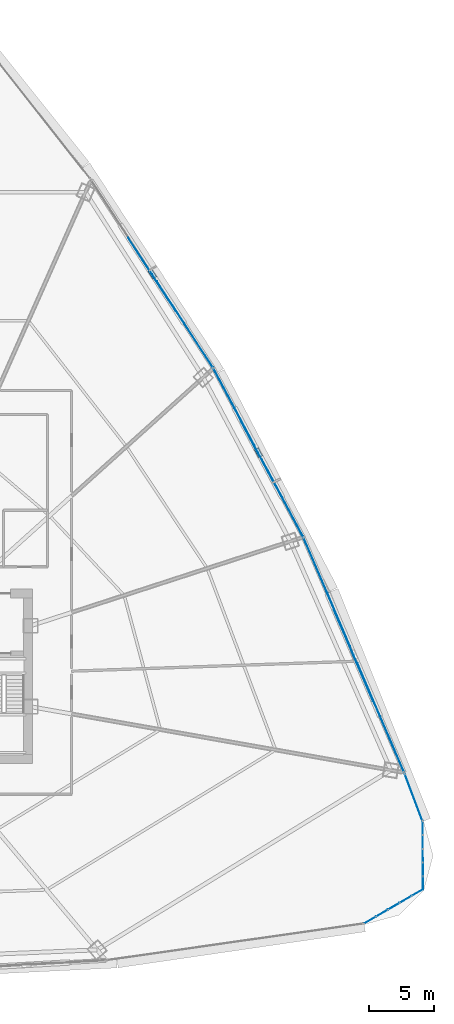
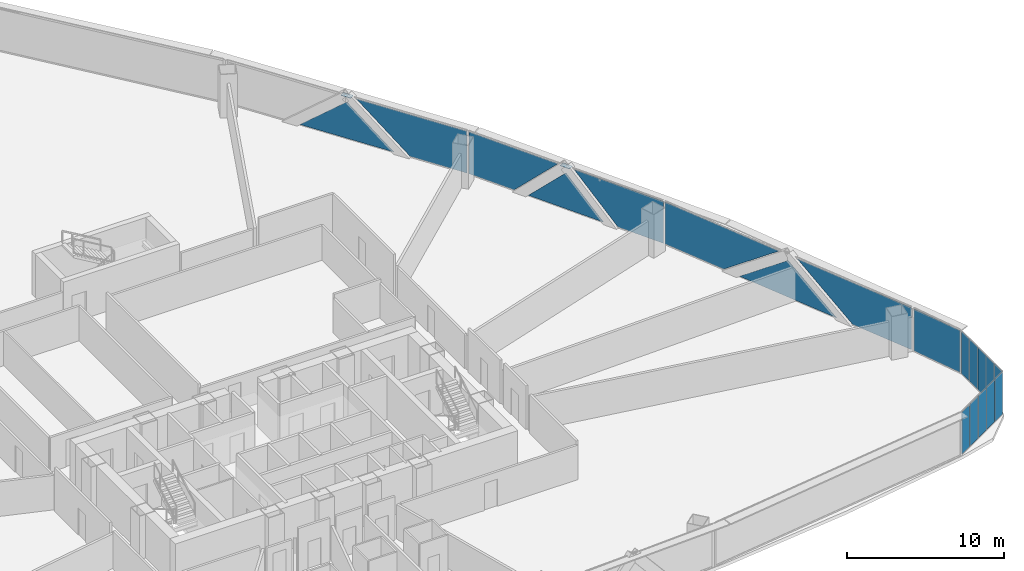
# One storey, part 30 of 40: 21 plates, 6 elements without a shape of their own.
"""IFC4 building model written with IfcOpenShell, lengths in metres."""

import ifcopenshell
import ifcopenshell.guid

model = None  # the IFC model being written
_history = None  # IfcOwnerHistory: only IFC2X3 demands one
_inside = {}  # id of a spatial element -> (the spatial element, [elements in it])
_under = {}  # id of a project, library or spatial element -> (it, [spatial elements below it])
_declared = {}  # id of a project -> (the project, [libraries it declares])
_typed = {}  # id of a type object -> (the type object, [elements of that type])
_made_of = {}  # id of a material, layer set ... -> (it, [elements and type objects made of it])


def new_model(schema):
    """Start an empty IFC model of exactly this schema.

    Asked for "IFC4X3", IfcOpenShell would pick the latest addendum, in which some entities
    have other attributes; the version numbers below select the first issue.
    IFC2X3 requires an IfcOwnerHistory on every rooted entity: one is made here for all.
    """
    global model, _history
    if schema == "IFC4X3":
        model = ifcopenshell.file(schema_version=(4, 3, 0, 0))
    else:
        model = ifcopenshell.file(schema=schema)
    _inside.clear()
    _under.clear()
    _declared.clear()
    _typed.clear()
    _made_of.clear()
    _history = None
    if model.schema == "IFC2X3":
        org = make("IfcOrganization", Name="unknown")
        user = make(
            "IfcPersonAndOrganization",
            ThePerson=make("IfcPerson", FamilyName="unknown"),
            TheOrganization=org,
        )
        app = make(
            "IfcApplication",
            ApplicationDeveloper=org,
            Version="unknown",
            ApplicationFullName="unknown",
            ApplicationIdentifier="unknown",
        )
        _history = make(
            "IfcOwnerHistory",
            OwningUser=user,
            OwningApplication=app,
            ChangeAction="ADDED",
            CreationDate=0,
        )
    return model


def make(cls, **values):
    """One entity of the class cls with the attributes given. An attribute that is None is left unset."""
    return model.create_entity(
        cls, **{name: value for name, value in values.items() if value is not None}
    )


def rooted(cls, **values):
    """An entity with a GlobalId (a new one), such as an element, a storey or a relation."""
    return make(cls, GlobalId=ifcopenshell.guid.new(), OwnerHistory=_history, **values)


def si_unit(unit_type, name, prefix=None):
    """IfcSIUnit, for example si_unit("LENGTHUNIT", "METRE", prefix="MILLI")."""
    return make("IfcSIUnit", UnitType=unit_type, Prefix=prefix, Name=name)


def assignment(units):
    """IfcUnitAssignment: the units of a project."""
    return None if units is None else make("IfcUnitAssignment", Units=units)


def point(xyz):
    """IfcCartesianPoint."""
    return None if xyz is None else make("IfcCartesianPoint", Coordinates=xyz)


def direction(xyz):
    """IfcDirection."""
    return None if xyz is None else make("IfcDirection", DirectionRatios=xyz)


def frame(location, z_axis=None, x_axis=None):
    """IfcAxis2Placement3D, a coordinate frame: its origin and axes. An axis left out is left unset."""
    return make(
        "IfcAxis2Placement3D",
        Location=point(location),
        Axis=direction(z_axis),
        RefDirection=direction(x_axis),
    )


def frame_2d(location, x_axis=None):
    """IfcAxis2Placement2D, a coordinate frame in the plane: its origin and x axis."""
    return make(
        "IfcAxis2Placement2D", Location=point(location), RefDirection=direction(x_axis)
    )


def origin():
    """The frame at (0, 0, 0) with its axes left unset."""
    return frame((0.0, 0.0, 0.0))


def origin_2d():
    """The frame at (0, 0) in the plane with its x axis left unset."""
    return frame_2d((0.0, 0.0))


def place(relative_to, where):
    """IfcLocalPlacement: puts the frame where relative to a parent placement (None: the world)."""
    return make(
        "IfcLocalPlacement", PlacementRelTo=relative_to, RelativePlacement=where
    )


def context(
    kind, dimensions, precision=None, world=None, true_north=None, identifier=None
):
    """IfcGeometricRepresentationContext, for example the 3D "Model" context."""
    return make(
        "IfcGeometricRepresentationContext",
        ContextIdentifier=identifier,
        ContextType=kind,
        CoordinateSpaceDimension=dimensions,
        Precision=precision,
        WorldCoordinateSystem=world,
        TrueNorth=true_north,
    )


def subcontext(parent, identifier, kind, view, scale=None):
    """IfcGeometricRepresentationSubContext, for example "Body" below "Model"."""
    return make(
        "IfcGeometricRepresentationSubContext",
        ContextIdentifier=identifier,
        ContextType=kind,
        ParentContext=parent,
        TargetScale=scale,
        TargetView=view,
    )


def project(units=None, contexts=None):
    """IfcProject with its units and contexts."""
    return rooted(
        "IfcProject",
        Name="project",
        RepresentationContexts=contexts,
        UnitsInContext=assignment(units),
    )


def spatial(cls, under=None, at=None, **own):
    """A site, building, storey or space (cls), placed at a placement, below another one or the project."""
    s = rooted(cls, ObjectPlacement=at, **own)
    if under is not None:
        _under.setdefault(under.id(), (under, []))[1].append(s)
    return s


def polyline(points):
    """IfcPolyline through the points."""
    return make("IfcPolyline", Points=[point(p) for p in points])


def profile(cls, at=None, kind="AREA", **sizes):
    """A parametric profile (cls). Its sizes go by their IFC names, for example OverallWidth=200.0."""
    return make(cls, ProfileType=kind, Position=at, **sizes)


def rectangle(**sizes):
    """IfcRectangleProfileDef."""
    return profile("IfcRectangleProfileDef", **sizes)


def outline(outer, holes=None, kind="AREA"):
    """IfcArbitraryClosedProfileDef: a profile drawn as a closed curve; with holes, ...WithVoids."""
    if holes is None:
        return make("IfcArbitraryClosedProfileDef", ProfileType=kind, OuterCurve=outer)
    return make(
        "IfcArbitraryProfileDefWithVoids",
        ProfileType=kind,
        OuterCurve=outer,
        InnerCurves=holes,
    )


def extrude(swept, where, along, depth):
    """IfcExtrudedAreaSolid: the profile swept, set in the frame where, extruded along a direction by depth."""
    return make(
        "IfcExtrudedAreaSolid",
        SweptArea=swept,
        Position=where,
        ExtrudedDirection=direction(along),
        Depth=depth,
    )


def shape(context_of_items, identifier, shape_type, items):
    """IfcShapeRepresentation: the items that make up one representation, for example the "Body"."""
    return make(
        "IfcShapeRepresentation",
        ContextOfItems=context_of_items,
        RepresentationIdentifier=identifier,
        RepresentationType=shape_type,
        Items=items,
    )


def source(mapping_origin, context_of_items, identifier, shape_type, items):
    """IfcRepresentationMap: a shape defined once, which mapped items show again and again."""
    return make(
        "IfcRepresentationMap",
        MappingOrigin=mapping_origin,
        MappedRepresentation=shape(context_of_items, identifier, shape_type, items),
    )


def transform(
    local_origin,
    x_axis=None,
    y_axis=None,
    z_axis=None,
    scale=None,
    scale2=None,
    scale3=None,
    uniform=True,
):
    """IfcCartesianTransformationOperator3D, or its non-uniform kind. x_axis, y_axis, z_axis: its Axis1, 2, 3."""
    if uniform:
        return make(
            "IfcCartesianTransformationOperator3D",
            Axis1=direction(x_axis),
            Axis2=direction(y_axis),
            LocalOrigin=point(local_origin),
            Scale=scale,
            Axis3=direction(z_axis),
        )
    return make(
        "IfcCartesianTransformationOperator3DnonUniform",
        Axis1=direction(x_axis),
        Axis2=direction(y_axis),
        LocalOrigin=point(local_origin),
        Scale=scale,
        Axis3=direction(z_axis),
        Scale2=scale2,
        Scale3=scale3,
    )


def mapped(mapping_source, mapping_target):
    """IfcMappedItem: shows the shape of a source again, moved by a transform."""
    return make(
        "IfcMappedItem", MappingSource=mapping_source, MappingTarget=mapping_target
    )


def material(Name=None, Category=None):
    """IfcMaterial."""
    return make("IfcMaterial", Name=Name, Category=Category)


def layer(
    of_material, thickness, ventilated=None, Name=None, Category=None, Priority=None
):
    """IfcMaterialLayer: one layer of a wall or slab, of a material (None: an air gap)."""
    return make(
        "IfcMaterialLayer",
        Material=of_material,
        LayerThickness=thickness,
        IsVentilated=ventilated,
        Name=Name,
        Category=Category,
        Priority=Priority,
    )


def layer_set(layers, Name=None):
    """IfcMaterialLayerSet."""
    return make("IfcMaterialLayerSet", MaterialLayers=layers, LayerSetName=Name)


def made_of(thing, what):
    """Note that an element or type object is made of a material, layer set ...; save() writes the relation."""
    if what is not None:
        _made_of.setdefault(what.id(), (what, []))[1].append(thing)
    return thing


def type_object(cls, material=None, **own):
    """A type object (cls), such as IfcWallType, which elements share."""
    return made_of(rooted(cls, **own), material)


def element(
    cls,
    number,
    at=None,
    inside=None,
    cuts=None,
    type_object=None,
    material=None,
    context=None,
    identifier="Body",
    shape_type=None,
    held_by="IfcProductDefinitionShape",
    body=None,
    shapes=None,
    **own,
):
    """One element of the class cls, such as IfcWall. Its Tag is "e" and its number.

    at: its placement. inside: the storey or other place that contains it. cuts: it is an
    opening in that element (IfcRelVoidsElement). A single representation is given by context,
    identifier, shape_type and body (its items); several are given by shapes. held_by: the class
    of the entity that holds the representations. save() writes the other relations.
    """
    e = rooted(cls, Tag="e%d" % number, ObjectPlacement=at, **own)
    if body is not None:
        shapes = [shape(context, identifier, shape_type, body)]
    if shapes is not None:
        e.Representation = make(held_by, Representations=shapes)
    if inside is not None:
        _inside.setdefault(inside.id(), (inside, []))[1].append(e)
    if cuts is not None:
        rooted(
            "IfcRelVoidsElement", RelatingBuildingElement=cuts, RelatedOpeningElement=e
        )
    if type_object is not None:
        _typed.setdefault(type_object.id(), (type_object, []))[1].append(e)
    return made_of(e, material)


def aggregate(whole, parts):
    """IfcRelAggregates: a whole, such as a stair, and the parts it consists of."""
    return rooted("IfcRelAggregates", RelatingObject=whole, RelatedObjects=parts)


def save(model, path):
    """Write the relations noted so far, then the file.

    IfcRelAggregates (storeys below a building ...), IfcRelContainedInSpatialStructure (elements
    in a storey), IfcRelDefinesByType, IfcRelAssociatesMaterial and IfcRelDeclares: one each for
    every whole, place, type object, material and project.
    """
    for whole, parts in _under.values():
        aggregate(whole, parts)
    for where, things in _inside.values():
        rooted(
            "IfcRelContainedInSpatialStructure",
            RelatedElements=things,
            RelatingStructure=where,
        )
    for kind, things in _typed.values():
        rooted("IfcRelDefinesByType", RelatedObjects=things, RelatingType=kind)
    for what, things in _made_of.values():
        rooted("IfcRelAssociatesMaterial", RelatedObjects=things, RelatingMaterial=what)
    for by, libraries in _declared.values():
        rooted("IfcRelDeclares", RelatingContext=by, RelatedDefinitions=libraries)
    model.write(path)


model = new_model("IFC4")

# Units and contexts
model_context = context("Model", 3, precision=1e-05, world=origin(), true_north=direction((0.0, 1.0)))
body_context = subcontext(model_context, "Body", "Model", "MODEL_VIEW")
ifc_project = project(units=[si_unit("LENGTHUNIT", "METRE"), si_unit("AREAUNIT", "SQUARE_METRE"), si_unit("VOLUMEUNIT", "CUBIC_METRE"), si_unit("PLANEANGLEUNIT", "RADIAN"), si_unit("MASSUNIT", "GRAM", prefix="KILO"), si_unit("THERMODYNAMICTEMPERATUREUNIT", "KELVIN"), si_unit("POWERUNIT", "WATT")], contexts=[model_context])

# Site, building, storey
site_placement = place(None, origin())
site = spatial("IfcSite", under=ifc_project, at=site_placement, CompositionType="ELEMENT")
building_placement = place(site_placement, origin())
building = spatial("IfcBuilding", under=site, at=building_placement, Name="Yunzhuo Pagoda Commons", CompositionType="ELEMENT")
storey_placement = place(building_placement, frame((0.0, 0.0, 66.699951171875)))
storey = spatial("IfcBuildingStorey", under=building, at=storey_placement, Name="L17", CompositionType="ELEMENT", Elevation=66.699951171875)

# Curtain wall, plates
ifc_material_1 = material(Name="Anodized aluminium 6063-T6", Category="aluminium")
ifc_layer_1 = layer(ifc_material_1, 0.1650390625)
ifc_layer_set_1 = layer_set([ifc_layer_1], Name="Anodized aluminium 6063-T6")
curtain_wall_type_1 = type_object("IfcCurtainWallType", Name="CW-LOW Low-Zone Ribbon Curtain Wall", PredefinedType="NOTDEFINED", material=ifc_layer_set_1)
curtain_wall_1_placement = place(storey_placement, origin())
curtain_wall_1 = element("IfcCurtainWall", 1, at=curtain_wall_1_placement, inside=storey, type_object=curtain_wall_type_1, Name="L17 curtain wall CW-L17-F2B2", PredefinedType="NOTDEFINED")
ifc_material_2 = material(Name="Tempered low-e double glazing", Category="glass")
ifc_layer_2 = layer(ifc_material_2, 0.028076171875)
ifc_layer_set_2 = layer_set([ifc_layer_2], Name="Tempered low-e double glazing")
plate_type_1 = type_object("IfcPlateType", Name="CW-LOW-P Low-E Double Glazing 28", PredefinedType="CURTAIN_PANEL", material=ifc_layer_set_2)
plate_1_placement = place(storey_placement, frame((87.260986328125, 30.667724609375, 1.68505859375), z_axis=(0.919121093161, 0.39397514656, 0.0), x_axis=(-0.39397514656, 0.919121093161, 0.0)))
plate_1 = element("IfcPlate", 2, at=plate_1_placement, type_object=plate_type_1, Name="CW panel 1.1 lite 1", PredefinedType="CURTAIN_PANEL", context=body_context, shape_type="SweptSolid", body=[
    extrude(outline(polyline([(-4.523193359375, -1.625), (0.12158203125, -1.625), (4.523193359375, 1.625), (-4.523193359375, 1.625), (-4.523193359375, -1.625)])), origin(), (0.0, 0.0, 1.0), 0.028076171875),
])
plate_2_placement = place(storey_placement, frame((85.16748046875, 35.47607421875, 1.478759765625), z_axis=(0.919121093161, 0.39397514656, 0.0), x_axis=(-0.39397514656, 0.919121093161, 0.0)))
plate_2 = element("IfcPlate", 3, at=plate_2_placement, type_object=plate_type_1, Name="CW panel 1.1 lite 2", PredefinedType="CURTAIN_PANEL", context=body_context, shape_type="SweptSolid", body=[
    extrude(outline(polyline([(-3.84326171875, -1.418701171875), (3.84326171875, -1.418701171875), (0.0, 1.418701171875), (-3.84326171875, -1.418701171875)])), origin(), (0.0, 0.0, 1.0), 0.028076171875),
])
plate_3_placement = place(storey_placement, frame((83.12890625, 40.30810546875, 1.68505859375), z_axis=(0.919121093161, 0.39397514656, 0.0), x_axis=(-0.39397514656, 0.919121093161, 0.0)))
plate_3 = element("IfcPlate", 4, at=plate_3_placement, type_object=plate_type_1, Name="CW panel 1.1 lite 3", PredefinedType="CURTAIN_PANEL", context=body_context, shape_type="SweptSolid", body=[
    extrude(outline(polyline([(-4.523193359375, 1.625), (-0.12158203125, -1.625), (4.523193359375, -1.625), (4.523193359375, 1.625), (-4.523193359375, 1.625)])), origin(), (0.0, 0.0, 1.0), 0.028076171875),
])
aggregate(curtain_wall_1, [plate_1, plate_2, plate_3])

curtain_wall_2_placement = place(storey_placement, origin())
curtain_wall_2 = element("IfcCurtainWall", 5, at=curtain_wall_2_placement, inside=storey, type_object=curtain_wall_type_1, Name="L17 curtain wall CW-L17-F2B3", PredefinedType="NOTDEFINED")
plate_4_placement = place(storey_placement, frame((79.721435546875, 47.529052734375, 1.68505859375), z_axis=(0.882636758547, 0.470055690808, 0.0), x_axis=(-0.470055690808, 0.882636758547, 0.0)))
plate_4 = element("IfcPlate", 6, at=plate_4_placement, type_object=plate_type_1, Name="CW panel 1.1 lite 1", PredefinedType="CURTAIN_PANEL", context=body_context, shape_type="SweptSolid", body=[
    extrude(outline(polyline([(-3.33935546875, -1.625), (0.05126953125, -1.625), (3.33935546875, 1.625), (-3.33935546875, 1.625), (-3.33935546875, -1.625)])), origin(), (0.0, 0.0, 1.0), 0.028076171875),
])
plate_5_placement = place(storey_placement, frame((77.842529296875, 50.9931640625, 1.447998046875), z_axis=(0.882636758547, 0.470055690808, 0.0), x_axis=(-0.470055690808, 0.882636758547, 0.0)))
plate_5 = element("IfcPlate", 7, at=plate_5_placement, type_object=plate_type_1, Name="CW panel 1.1 lite 2", PredefinedType="CURTAIN_PANEL", context=body_context, shape_type="SweptSolid", body=[
    extrude(outline(polyline([(-2.80810546875, -1.387939453125), (2.80810546875, -1.387939453125), (0.0, 1.387939453125), (-2.80810546875, -1.387939453125)])), origin(), (0.0, 0.0, 1.0), 0.028076171875),
])
plate_6_placement = place(storey_placement, frame((76.016845703125, 54.4853515625, 1.68505859375), z_axis=(0.882636758547, 0.470055690808, 0.0), x_axis=(-0.470055690808, 0.882636758547, 0.0)))
plate_6 = element("IfcPlate", 8, at=plate_6_placement, type_object=plate_type_1, Name="CW panel 1.1 lite 3", PredefinedType="CURTAIN_PANEL", context=body_context, shape_type="SweptSolid", body=[
    extrude(outline(polyline([(-3.33935546875, 1.625), (-0.051513671875, -1.625), (3.33935546875, -1.625), (3.33935546875, 1.625), (-3.33935546875, 1.625)])), origin(), (0.0, 0.0, 1.0), 0.028076171875),
])
aggregate(curtain_wall_2, [plate_4, plate_5, plate_6])

curtain_wall_3_placement = place(storey_placement, origin())
curtain_wall_3 = element("IfcCurtainWall", 9, at=curtain_wall_3_placement, inside=storey, type_object=curtain_wall_type_1, Name="L17 curtain wall CW-L17-F2B4", PredefinedType="NOTDEFINED")
plate_7_placement = place(storey_placement, frame((72.23193359375, 60.85693359375, 1.68505859375), z_axis=(0.838840312647, 0.54437756188, 0.0), x_axis=(-0.54437756188, 0.838840312647, 0.0)))
plate_7 = element("IfcPlate", 10, at=plate_7_placement, type_object=plate_type_1, Name="CW panel 1.1 lite 1", PredefinedType="CURTAIN_PANEL", context=body_context, shape_type="SweptSolid", body=[
    extrude(outline(polyline([(-3.949462890625, -1.625), (0.08837890625, -1.625), (3.949462890625, 1.625), (-3.949462890625, 1.625), (-3.949462890625, -1.625)])), origin(), (0.0, 0.0, 1.0), 0.028076171875),
])
plate_8_placement = place(storey_placement, frame((69.696533203125, 64.708251953125, 1.466796875), z_axis=(0.838840312647, 0.54437756188, 0.0), x_axis=(-0.54437756188, 0.838840312647, 0.0)))
plate_8 = element("IfcPlate", 11, at=plate_8_placement, type_object=plate_type_1, Name="CW panel 1.1 lite 2", PredefinedType="CURTAIN_PANEL", context=body_context, shape_type="SweptSolid", body=[
    extrude(outline(polyline([(-3.342529296875, -1.406494140625), (3.342529296875, -1.406494140625), (0.0, 1.406494140625), (-3.342529296875, -1.406494140625)])), origin(), (0.0, 0.0, 1.0), 0.028076171875),
])
aggregate(curtain_wall_3, [plate_7, plate_8])

# Plates
ifc_material_3 = material(Name="Structural steel Q355B", Category="steel")
ifc_layer_3 = layer(ifc_material_3, 0.028076171875)
ifc_layer_set_3 = layer_set([ifc_layer_3], Name="Structural steel Q355B")
plate_type_2 = type_object("IfcPlateType", Name="SP-ND1 Lattice Node Cap Plate 800x500x28", PredefinedType="USERDEFINED", material=ifc_layer_set_3)
shared_shape_1 = source(origin(), body_context, "Body", "SweptSolid", [
    extrude(rectangle(XDim=0.699951171875, YDim=0.35009765625, at=origin_2d()), origin(), (0.0, 0.0, 1.0), 0.035888671875),
])
for number, where, z_axis, x_axis, name in (
    (12, (77.881591796875, 51.013916015625, 3.33203125), (0.0, 0.0, 1.0), (-0.47005705251, 0.88263603336, 0.0), "L17 setback lattice tie plate F2.2L"),
    (13, (69.7333984375, 64.732177734375, 3.33203125), (0.0, 0.0, 1.0), (-0.544375532013, 0.838841629955, 0.0), "L17 setback lattice tie plate F2.3L"),
):
    element("IfcPlate", number, at=place(storey_placement, frame(where, z_axis=z_axis, x_axis=x_axis)), inside=storey, type_object=plate_type_2, Name=name, ObjectType="STIFFENER_PLATE", PredefinedType="USERDEFINED", context=body_context, shape_type="MappedRepresentation", body=[
        mapped(shared_shape_1, transform((0.0, 0.0, 0.0), scale=1.0)),
    ])

# Curtain wall, plate
curtain_wall_4_placement = place(storey_placement, origin())
curtain_wall_4 = element("IfcCurtainWall", 14, at=curtain_wall_4_placement, inside=storey, type_object=curtain_wall_type_1, Name="L17 curtain wall CW-L17-F2B1", PredefinedType="NOTDEFINED")
shared_shape_2 = source(origin(), body_context, "Body", "SweptSolid", [
    extrude(rectangle(XDim=3.80126953125, YDim=0.028076171875, at=origin_2d()), origin(), (0.0, 0.0, 1.0), 3.25),
])
plate_9_placement = place(storey_placement, frame((89.802734375, 24.547119140625, 0.06005859375), z_axis=(0.0, 0.0, 1.0), x_axis=(-0.353291245367, 0.9355133863, 0.0)))
plate_9 = element("IfcPlate", 15, at=plate_9_placement, type_object=plate_type_1, Name="CW panel 1.1", PredefinedType="CURTAIN_PANEL", context=body_context, shape_type="MappedRepresentation", body=[
    mapped(shared_shape_2, transform((0.0, 0.0, 0.0), scale=1.0)),
])
aggregate(curtain_wall_4, [plate_9])

# Curtain wall, plates
ifc_layer_4 = layer(ifc_material_1, 0.1298828125)
ifc_layer_set_4 = layer_set([ifc_layer_4], Name="Anodized aluminium 6063-T6")
curtain_wall_type_2 = type_object("IfcCurtainWallType", Name="CW-VTX Rounded Corner Curtain Wall", PredefinedType="NOTDEFINED", material=ifc_layer_set_4)
curtain_wall_5_placement = place(storey_placement, origin())
curtain_wall_5 = element("IfcCurtainWall", 16, at=curtain_wall_5_placement, inside=storey, type_object=curtain_wall_type_2, Name="L17 curtain wall CW-L17-VTX2S1", PredefinedType="NOTDEFINED")
ifc_layer_5 = layer(ifc_material_2, 0.02587890625)
ifc_layer_set_5 = layer_set([ifc_layer_5], Name="Tempered low-e double glazing")
plate_type_3 = type_object("IfcPlateType", Name="CW-VTX-P Low-E Double Glazing 26", PredefinedType="CURTAIN_PANEL", material=ifc_layer_set_5)
shared_shape_3 = source(origin(), body_context, "Body", "SweptSolid", [
    extrude(rectangle(XDim=0.9716796875, YDim=0.028076171875, at=origin_2d()), origin(), (0.0, 0.0, 1.0), 3.260009765625),
])
plate_10_placement = place(storey_placement, frame((86.462158203125, 15.136474609375, 0.05517578125), z_axis=(0.0, 0.0, 1.0), x_axis=(0.865424986596, 0.501038514064, 0.0)))
plate_10 = element("IfcPlate", 17, at=plate_10_placement, type_object=plate_type_3, Name="CW panel 1.1", PredefinedType="CURTAIN_PANEL", context=body_context, shape_type="MappedRepresentation", body=[
    mapped(shared_shape_3, transform((0.0, 0.0, 0.0), scale=1.0)),
])
plate_11_placement = place(storey_placement, frame((90.087890625, 17.235595703125, 0.05517578125), z_axis=(0.0, 0.0, 1.0), x_axis=(0.865424986596, 0.501038514064, 0.0)))
plate_11 = element("IfcPlate", 18, at=plate_11_placement, type_object=plate_type_3, Name="CW panel 5.1", PredefinedType="CURTAIN_PANEL", context=body_context, shape_type="MappedRepresentation", body=[
    mapped(shared_shape_3, transform((0.0, 0.0, 0.0), scale=1.0)),
])

curtain_wall_6_placement = place(storey_placement, origin())
curtain_wall_6 = element("IfcCurtainWall", 19, at=curtain_wall_6_placement, inside=storey, type_object=curtain_wall_type_2, Name="L17 curtain wall CW-L17-VTX2S2", PredefinedType="NOTDEFINED")
plate_12_placement = place(storey_placement, frame((90.51416015625, 17.97802734375, 0.05517578125), z_axis=(0.0, 0.0, 1.0), x_axis=(-0.003585566294, 0.999993571837, 0.0)))
plate_12 = element("IfcPlate", 20, at=plate_12_placement, type_object=plate_type_3, Name="CW panel 1.1", PredefinedType="CURTAIN_PANEL", context=body_context, shape_type="MappedRepresentation", body=[
    mapped(shared_shape_3, transform((0.0, 0.0, 0.0), scale=1.0)),
])
plate_13_placement = place(storey_placement, frame((90.4990234375, 22.167236328125, 0.05517578125), z_axis=(0.0, 0.0, 1.0), x_axis=(-0.003585566294, 0.999993571837, 0.0)))
plate_13 = element("IfcPlate", 21, at=plate_13_placement, type_object=plate_type_3, Name="CW panel 5.1", PredefinedType="CURTAIN_PANEL", context=body_context, shape_type="MappedRepresentation", body=[
    mapped(shared_shape_3, transform((0.0, 0.0, 0.0), scale=1.0)),
])

# Plate
shared_shape_4 = source(origin(), body_context, "Body", "SweptSolid", [
    extrude(rectangle(XDim=0.999267578125, YDim=0.028076171875, at=origin_2d()), origin(), (0.0, 0.0, 1.0), 3.260009765625),
])
plate_14_placement = place(storey_placement, frame((87.36279296875, 15.657958984375, 0.05517578125), z_axis=(0.0, 0.0, 1.0), x_axis=(0.865424986596, 0.501038514064, 0.0)))
plate_14 = element("IfcPlate", 22, at=plate_14_placement, type_object=plate_type_3, Name="CW panel 2.1", PredefinedType="CURTAIN_PANEL", context=body_context, shape_type="MappedRepresentation", body=[
    mapped(shared_shape_4, transform((0.0, 0.0, 0.0), scale=1.0)),
])

plate_15_placement = place(storey_placement, frame((88.275146484375, 16.18603515625, 0.05517578125), z_axis=(0.0, 0.0, 1.0), x_axis=(0.865424986596, 0.501038514064, 0.0)))
plate_15 = element("IfcPlate", 23, at=plate_15_placement, type_object=plate_type_3, Name="CW panel 3.1", PredefinedType="CURTAIN_PANEL", context=body_context, shape_type="MappedRepresentation", body=[
    mapped(shared_shape_4, transform((0.0, 0.0, 0.0), scale=1.0)),
])

plate_16_placement = place(storey_placement, frame((89.1875, 16.71435546875, 0.05517578125), z_axis=(0.0, 0.0, 1.0), x_axis=(0.865424986596, 0.501038514064, 0.0)))
plate_16 = element("IfcPlate", 24, at=plate_16_placement, type_object=plate_type_3, Name="CW panel 4.1", PredefinedType="CURTAIN_PANEL", context=body_context, shape_type="MappedRepresentation", body=[
    mapped(shared_shape_4, transform((0.0, 0.0, 0.0), scale=1.0)),
])

aggregate(curtain_wall_5, [plate_10, plate_14, plate_15, plate_16, plate_11])

plate_17_placement = place(storey_placement, frame((90.51025390625, 19.018310546875, 0.05517578125), z_axis=(0.0, 0.0, 1.0), x_axis=(-0.003585566294, 0.999993571837, 0.0)))
plate_17 = element("IfcPlate", 25, at=plate_17_placement, type_object=plate_type_3, Name="CW panel 2.1", PredefinedType="CURTAIN_PANEL", context=body_context, shape_type="MappedRepresentation", body=[
    mapped(shared_shape_4, transform((0.0, 0.0, 0.0), scale=1.0)),
])

plate_18_placement = place(storey_placement, frame((90.506591796875, 20.07275390625, 0.05517578125), z_axis=(0.0, 0.0, 1.0), x_axis=(-0.003585566294, 0.999993571837, 0.0)))
plate_18 = element("IfcPlate", 26, at=plate_18_placement, type_object=plate_type_3, Name="CW panel 3.1", PredefinedType="CURTAIN_PANEL", context=body_context, shape_type="MappedRepresentation", body=[
    mapped(shared_shape_4, transform((0.0, 0.0, 0.0), scale=1.0)),
])

plate_19_placement = place(storey_placement, frame((90.502685546875, 21.126953125, 0.05517578125), z_axis=(0.0, 0.0, 1.0), x_axis=(-0.003585566294, 0.999993571837, 0.0)))
plate_19 = element("IfcPlate", 27, at=plate_19_placement, type_object=plate_type_3, Name="CW panel 4.1", PredefinedType="CURTAIN_PANEL", context=body_context, shape_type="MappedRepresentation", body=[
    mapped(shared_shape_4, transform((0.0, 0.0, 0.0), scale=1.0)),
])

aggregate(curtain_wall_6, [plate_12, plate_17, plate_18, plate_19, plate_13])

save(model, "model.ifc")
